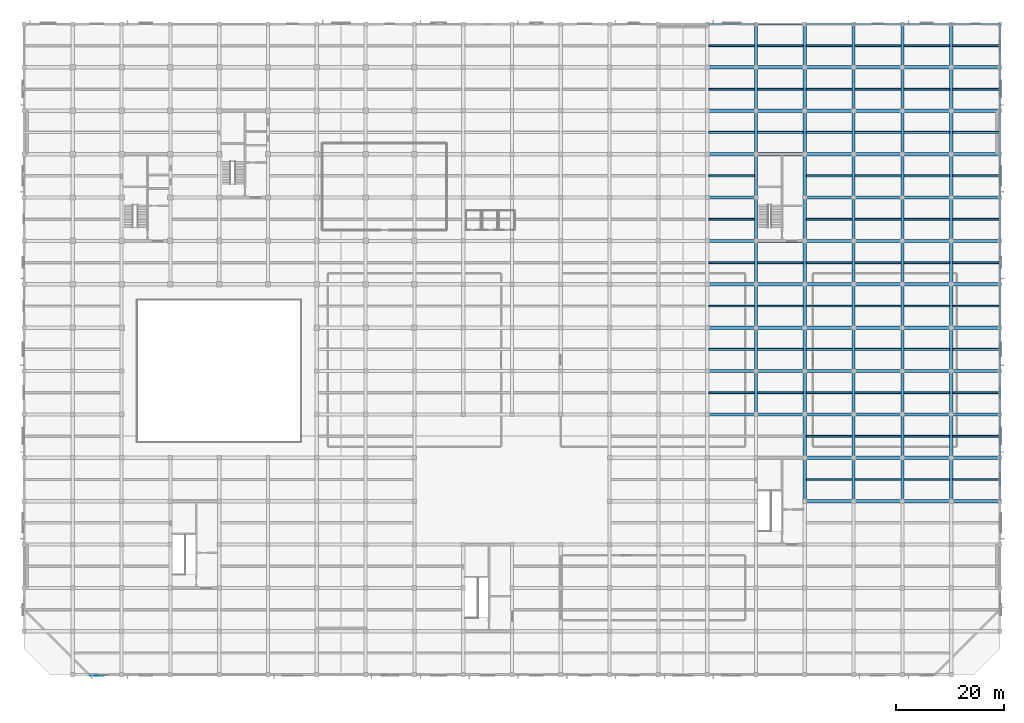
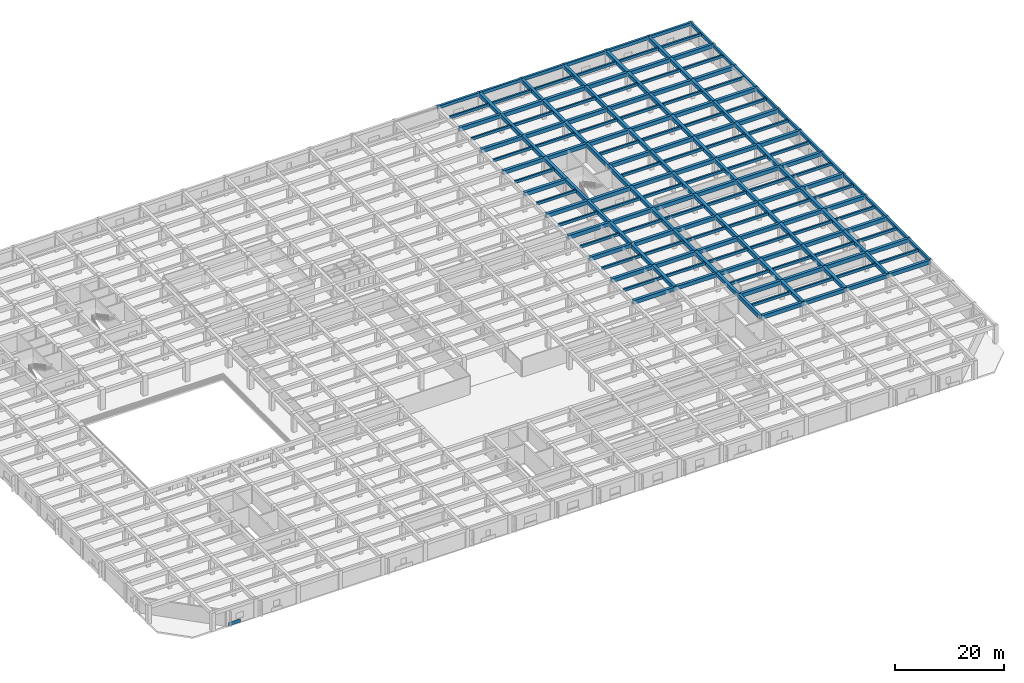
# One storey, part 5 of 32: 191 beams, 1 plate.
"""IFC4 building model written with IfcOpenShell, lengths in metres."""

from ifc_helpers import new_model, si_unit, direction, frame, frame_2d, origin, origin_2d, place, context, subcontext, project, spatial, rectangle, extrude, material, layer, layer_set, material_profile, profile_set, type_object, element, save


model = new_model("IFC4")

# Units and contexts
model_context = context("Model", 3, precision=1e-05, world=origin(), true_north=direction((0.0, 1.0)))
body_context = subcontext(model_context, "Body", "Model", "MODEL_VIEW")
ifc_project = project(units=[si_unit("LENGTHUNIT", "METRE"), si_unit("AREAUNIT", "SQUARE_METRE"), si_unit("VOLUMEUNIT", "CUBIC_METRE"), si_unit("PLANEANGLEUNIT", "RADIAN"), si_unit("MASSUNIT", "GRAM", prefix="KILO")], contexts=[model_context])

# Site, building, storey
site_placement = place(None, origin())
site = spatial("IfcSite", under=ifc_project, at=site_placement, CompositionType="ELEMENT")
building_placement = place(site_placement, origin())
building = spatial("IfcBuilding", under=site, at=building_placement, Name="Zaverband Oceanarium and Marine Research Institute", CompositionType="ELEMENT")
storey_placement = place(building_placement, frame((0.0, 0.0, 13.5)))
storey = spatial("IfcBuildingStorey", under=building, at=storey_placement, Name="L03", CompositionType="ELEMENT", Elevation=13.5)

# Beams
ifc_material_1 = material(Name="Concrete C40/50", Category="concrete")
ifc_material_profile_1 = material_profile(ifc_material_1, rectangle(XDim=0.60009765625, YDim=0.85009765625, at=origin_2d()), Name="RC600x850")
ifc_profile_set_1 = profile_set([ifc_material_profile_1], Name="Concrete C40/50")
beam_type_1 = type_object("IfcBeamType", Name="BM-600x850", PredefinedType="BEAM", material=ifc_profile_set_1)
for number, where, z_axis, x_axis, name in (
    (1, (144.0, 32.0, 3.77490234375), (1.0, 0.0, 0.0), (0.0, 1.0, 0.0), "Primary floor girder BM-600x850"),
    (2, (153.0, 32.0, 3.77490234375), (1.0, 0.0, 0.0), (0.0, 1.0, 0.0), "Primary floor girder BM-600x850"),
    (3, (162.0, 32.0, 3.77490234375), (1.0, 0.0, 0.0), (0.0, 1.0, 0.0), "Primary floor girder BM-600x850"),
    (4, (171.0, 32.0, 3.77490234375), (1.0, 0.0, 0.0), (0.0, 1.0, 0.0), "Primary floor girder BM-600x850"),
    (5, (144.0, 40.0, 3.77490234375), (1.0, 0.0, 0.0), (0.0, 1.0, 0.0), "Primary floor girder BM-600x850"),
    (6, (153.0, 40.0, 3.77490234375), (1.0, 0.0, 0.0), (0.0, 1.0, 0.0), "Primary floor girder BM-600x850"),
    (7, (162.0, 40.0, 3.77490234375), (1.0, 0.0, 0.0), (0.0, 1.0, 0.0), "Primary floor girder BM-600x850"),
    (8, (171.0, 40.0, 3.77490234375), (1.0, 0.0, 0.0), (0.0, 1.0, 0.0), "Primary floor girder BM-600x850"),
    (9, (126.0, 48.0, 3.77490234375), (1.0, 0.0, 0.0), (0.0, 1.0, 0.0), "Primary floor girder BM-600x850"),
    (10, (135.0, 48.0, 3.77490234375), (1.0, 0.0, 0.0), (0.0, 1.0, 0.0), "Primary floor girder BM-600x850"),
    (11, (144.0, 48.0, 3.77490234375), (1.0, 0.0, 0.0), (0.0, 1.0, 0.0), "Primary floor girder BM-600x850"),
    (12, (153.0, 48.0, 3.77490234375), (1.0, 0.0, 0.0), (0.0, 1.0, 0.0), "Primary floor girder BM-600x850"),
    (13, (162.0, 48.0, 3.77490234375), (1.0, 0.0, 0.0), (0.0, 1.0, 0.0), "Primary floor girder BM-600x850"),
    (14, (171.0, 48.0, 3.77490234375), (1.0, 0.0, 0.0), (0.0, 1.0, 0.0), "Primary floor girder BM-600x850"),
    (15, (126.0, 56.0, 3.77490234375), (1.0, 0.0, 0.0), (0.0, 1.0, 0.0), "Primary floor girder BM-600x850"),
    (16, (135.0, 56.0, 3.77490234375), (1.0, 0.0, 0.0), (0.0, 1.0, 0.0), "Primary floor girder BM-600x850"),
    (17, (144.0, 56.0, 3.77490234375), (1.0, 0.0, 0.0), (0.0, 1.0, 0.0), "Primary floor girder BM-600x850"),
    (18, (153.0, 56.0, 3.77490234375), (1.0, 0.0, 0.0), (0.0, 1.0, 0.0), "Primary floor girder BM-600x850"),
    (19, (162.0, 56.0, 3.77490234375), (1.0, 0.0, 0.0), (0.0, 1.0, 0.0), "Primary floor girder BM-600x850"),
    (20, (171.0, 56.0, 3.77490234375), (1.0, 0.0, 0.0), (0.0, 1.0, 0.0), "Primary floor girder BM-600x850"),
    (21, (126.0, 64.0, 3.804931640625), (1.0, 0.0, 0.0), (0.0, 1.0, 0.0), "Primary floor girder BM-600x850"),
    (22, (135.0, 64.0, 3.77490234375), (1.0, 0.0, 0.0), (0.0, 1.0, 0.0), "Primary floor girder BM-600x850"),
    (23, (144.0, 64.0, 3.77490234375), (1.0, 0.0, 0.0), (0.0, 1.0, 0.0), "Primary floor girder BM-600x850"),
    (24, (153.0, 64.0, 3.77490234375), (1.0, 0.0, 0.0), (0.0, 1.0, 0.0), "Primary floor girder BM-600x850"),
    (25, (162.0, 64.0, 3.77490234375), (1.0, 0.0, 0.0), (0.0, 1.0, 0.0), "Primary floor girder BM-600x850"),
    (26, (171.0, 64.0, 3.77490234375), (1.0, 0.0, 0.0), (0.0, 1.0, 0.0), "Primary floor girder BM-600x850"),
    (27, (126.0, 72.0, 3.804931640625), (1.0, 0.0, 0.0), (0.0, 1.0, 0.0), "Primary floor girder BM-600x850"),
    (28, (135.0, 72.0, 3.77490234375), (1.0, 0.0, 0.0), (0.0, 1.0, 0.0), "Primary floor girder BM-600x850"),
    (29, (144.0, 72.0, 3.77490234375), (1.0, 0.0, 0.0), (0.0, 1.0, 0.0), "Primary floor girder BM-600x850"),
    (30, (153.0, 72.0, 3.77490234375), (1.0, 0.0, 0.0), (0.0, 1.0, 0.0), "Primary floor girder BM-600x850"),
    (31, (162.0, 72.0, 3.77490234375), (1.0, 0.0, 0.0), (0.0, 1.0, 0.0), "Primary floor girder BM-600x850"),
    (32, (171.0, 72.0, 3.77490234375), (1.0, 0.0, 0.0), (0.0, 1.0, 0.0), "Primary floor girder BM-600x850"),
    (33, (126.0, 80.0, 3.804931640625), (1.0, 0.0, 0.0), (0.0, 1.0, 0.0), "Primary floor girder BM-600x850"),
    (34, (135.0, 80.0, 3.77490234375), (1.0, 0.0, 0.0), (0.0, 1.0, 0.0), "Primary floor girder BM-600x850"),
    (35, (144.0, 80.0, 3.77490234375), (1.0, 0.0, 0.0), (0.0, 1.0, 0.0), "Primary floor girder BM-600x850"),
    (36, (153.0, 80.0, 3.77490234375), (1.0, 0.0, 0.0), (0.0, 1.0, 0.0), "Primary floor girder BM-600x850"),
    (37, (162.0, 80.0, 3.77490234375), (1.0, 0.0, 0.0), (0.0, 1.0, 0.0), "Primary floor girder BM-600x850"),
    (38, (171.0, 80.0, 3.77490234375), (1.0, 0.0, 0.0), (0.0, 1.0, 0.0), "Primary floor girder BM-600x850"),
    (39, (126.0, 88.0, 3.804931640625), (1.0, 0.0, 0.0), (0.0, 1.0, 0.0), "Primary floor girder BM-600x850"),
    (40, (144.0, 88.0, 3.77490234375), (1.0, 0.0, 0.0), (0.0, 1.0, 0.0), "Primary floor girder BM-600x850"),
    (41, (153.0, 88.0, 3.77490234375), (1.0, 0.0, 0.0), (0.0, 1.0, 0.0), "Primary floor girder BM-600x850"),
    (42, (162.0, 88.0, 3.77490234375), (1.0, 0.0, 0.0), (0.0, 1.0, 0.0), "Primary floor girder BM-600x850"),
    (43, (171.0, 88.0, 3.77490234375), (1.0, 0.0, 0.0), (0.0, 1.0, 0.0), "Primary floor girder BM-600x850"),
    (44, (126.0, 96.0, 3.804931640625), (1.0, 0.0, 0.0), (0.0, 1.0, 0.0), "Primary floor girder BM-600x850"),
    (45, (135.0, 96.0, 3.77490234375), (1.0, 0.0, 0.0), (0.0, 1.0, 0.0), "Primary floor girder BM-600x850"),
    (46, (144.0, 96.0, 3.77490234375), (1.0, 0.0, 0.0), (0.0, 1.0, 0.0), "Primary floor girder BM-600x850"),
    (47, (153.0, 96.0, 3.77490234375), (1.0, 0.0, 0.0), (0.0, 1.0, 0.0), "Primary floor girder BM-600x850"),
    (48, (162.0, 96.0, 3.77490234375), (1.0, 0.0, 0.0), (0.0, 1.0, 0.0), "Primary floor girder BM-600x850"),
    (49, (171.0, 96.0, 3.77490234375), (1.0, 0.0, 0.0), (0.0, 1.0, 0.0), "Primary floor girder BM-600x850"),
    (50, (126.0, 104.0, 3.804931640625), (1.0, 0.0, 0.0), (0.0, 1.0, 0.0), "Primary floor girder BM-600x850"),
    (51, (135.0, 104.0, 3.77490234375), (1.0, 0.0, 0.0), (0.0, 1.0, 0.0), "Primary floor girder BM-600x850"),
    (52, (144.0, 104.0, 3.77490234375), (1.0, 0.0, 0.0), (0.0, 1.0, 0.0), "Primary floor girder BM-600x850"),
    (53, (153.0, 104.0, 3.77490234375), (1.0, 0.0, 0.0), (0.0, 1.0, 0.0), "Primary floor girder BM-600x850"),
    (54, (162.0, 104.0, 3.77490234375), (1.0, 0.0, 0.0), (0.0, 1.0, 0.0), "Primary floor girder BM-600x850"),
    (55, (171.0, 104.0, 3.77490234375), (1.0, 0.0, 0.0), (0.0, 1.0, 0.0), "Primary floor girder BM-600x850"),
    (56, (126.0, 112.0, 3.804931640625), (1.0, 0.0, 0.0), (0.0, 1.0, 0.0), "Primary floor girder BM-600x850"),
    (57, (135.0, 112.0, 3.77490234375), (1.0, 0.0, 0.0), (0.0, 1.0, 0.0), "Primary floor girder BM-600x850"),
    (58, (144.0, 112.0, 3.77490234375), (1.0, 0.0, 0.0), (0.0, 1.0, 0.0), "Primary floor girder BM-600x850"),
    (59, (153.0, 112.0, 3.77490234375), (1.0, 0.0, 0.0), (0.0, 1.0, 0.0), "Primary floor girder BM-600x850"),
    (60, (162.0, 112.0, 3.77490234375), (1.0, 0.0, 0.0), (0.0, 1.0, 0.0), "Primary floor girder BM-600x850"),
    (61, (171.0, 112.0, 3.77490234375), (1.0, 0.0, 0.0), (0.0, 1.0, 0.0), "Primary floor girder BM-600x850"),
):
    element("IfcBeam", number, at=place(storey_placement, frame(where, z_axis=z_axis, x_axis=x_axis)), inside=storey, type_object=beam_type_1, Name=name, PredefinedType="BEAM", context=body_context, shape_type="SweptSolid", body=[
        extrude(rectangle(XDim=0.60009765625, YDim=0.85009765625, at=origin_2d()), origin(), (0.0, 0.0, 1.0), 9.0),
    ])
for number, where, z_axis, x_axis, name in (
    (62, (135.0, 48.0, 3.77490234375), (0.0, 1.0, 0.0), (-1.0, 0.0, 0.0), "Primary floor girder BM-600x850"),
    (63, (135.0, 56.0, 3.77490234375), (0.0, 1.0, 0.0), (-1.0, 0.0, 0.0), "Primary floor girder BM-600x850"),
    (64, (135.0, 64.0, 3.804931640625), (0.0, 1.0, 0.0), (-1.0, 0.0, 0.0), "Primary floor girder BM-600x850"),
    (65, (135.0, 72.0, 3.804931640625), (0.0, 1.0, 0.0), (-1.0, 0.0, 0.0), "Primary floor girder BM-600x850"),
    (66, (135.0, 80.0, 3.804931640625), (0.0, 1.0, 0.0), (-1.0, 0.0, 0.0), "Primary floor girder BM-600x850"),
    (67, (135.0, 88.0, 3.804931640625), (0.0, 1.0, 0.0), (-1.0, 0.0, 0.0), "Primary floor girder BM-600x850"),
    (68, (135.0, 96.0, 3.804931640625), (0.0, 1.0, 0.0), (-1.0, 0.0, 0.0), "Primary floor girder BM-600x850"),
    (69, (135.0, 104.0, 3.804931640625), (0.0, 1.0, 0.0), (-1.0, 0.0, 0.0), "Primary floor girder BM-600x850"),
    (70, (135.0, 112.0, 3.77490234375), (0.0, 1.0, 0.0), (-1.0, 0.0, 0.0), "Primary floor girder BM-600x850"),
    (71, (144.0, 32.0, 3.77490234375), (0.0, 1.0, 0.0), (-1.0, 0.0, 0.0), "Primary floor girder BM-600x850"),
    (72, (144.0, 40.0, 3.77490234375), (0.0, 1.0, 0.0), (-1.0, 0.0, 0.0), "Primary floor girder BM-600x850"),
    (73, (144.0, 48.0, 3.77490234375), (0.0, 1.0, 0.0), (-1.0, 0.0, 0.0), "Primary floor girder BM-600x850"),
    (74, (144.0, 56.0, 3.77490234375), (0.0, 1.0, 0.0), (-1.0, 0.0, 0.0), "Primary floor girder BM-600x850"),
    (75, (144.0, 64.0, 3.77490234375), (0.0, 1.0, 0.0), (-1.0, 0.0, 0.0), "Primary floor girder BM-600x850"),
    (76, (144.0, 72.0, 3.77490234375), (0.0, 1.0, 0.0), (-1.0, 0.0, 0.0), "Primary floor girder BM-600x850"),
    (77, (144.0, 80.0, 3.77490234375), (0.0, 1.0, 0.0), (-1.0, 0.0, 0.0), "Primary floor girder BM-600x850"),
    (78, (144.0, 88.0, 3.77490234375), (0.0, 1.0, 0.0), (-1.0, 0.0, 0.0), "Primary floor girder BM-600x850"),
    (79, (144.0, 96.0, 3.77490234375), (0.0, 1.0, 0.0), (-1.0, 0.0, 0.0), "Primary floor girder BM-600x850"),
    (80, (144.0, 104.0, 3.77490234375), (0.0, 1.0, 0.0), (-1.0, 0.0, 0.0), "Primary floor girder BM-600x850"),
    (81, (144.0, 112.0, 3.77490234375), (0.0, 1.0, 0.0), (-1.0, 0.0, 0.0), "Primary floor girder BM-600x850"),
    (82, (153.0, 32.0, 3.77490234375), (0.0, 1.0, 0.0), (-1.0, 0.0, 0.0), "Primary floor girder BM-600x850"),
    (83, (153.0, 40.0, 3.77490234375), (0.0, 1.0, 0.0), (-1.0, 0.0, 0.0), "Primary floor girder BM-600x850"),
    (84, (153.0, 48.0, 3.77490234375), (0.0, 1.0, 0.0), (-1.0, 0.0, 0.0), "Primary floor girder BM-600x850"),
    (85, (153.0, 56.0, 3.77490234375), (0.0, 1.0, 0.0), (-1.0, 0.0, 0.0), "Primary floor girder BM-600x850"),
    (86, (153.0, 64.0, 3.77490234375), (0.0, 1.0, 0.0), (-1.0, 0.0, 0.0), "Primary floor girder BM-600x850"),
    (87, (153.0, 72.0, 3.77490234375), (0.0, 1.0, 0.0), (-1.0, 0.0, 0.0), "Primary floor girder BM-600x850"),
    (88, (153.0, 80.0, 3.77490234375), (0.0, 1.0, 0.0), (-1.0, 0.0, 0.0), "Primary floor girder BM-600x850"),
    (89, (153.0, 88.0, 3.77490234375), (0.0, 1.0, 0.0), (-1.0, 0.0, 0.0), "Primary floor girder BM-600x850"),
    (90, (153.0, 96.0, 3.77490234375), (0.0, 1.0, 0.0), (-1.0, 0.0, 0.0), "Primary floor girder BM-600x850"),
    (91, (153.0, 104.0, 3.77490234375), (0.0, 1.0, 0.0), (-1.0, 0.0, 0.0), "Primary floor girder BM-600x850"),
    (92, (153.0, 112.0, 3.77490234375), (0.0, 1.0, 0.0), (-1.0, 0.0, 0.0), "Primary floor girder BM-600x850"),
    (93, (162.0, 32.0, 3.77490234375), (0.0, 1.0, 0.0), (-1.0, 0.0, 0.0), "Primary floor girder BM-600x850"),
    (94, (162.0, 40.0, 3.77490234375), (0.0, 1.0, 0.0), (-1.0, 0.0, 0.0), "Primary floor girder BM-600x850"),
    (95, (162.0, 48.0, 3.77490234375), (0.0, 1.0, 0.0), (-1.0, 0.0, 0.0), "Primary floor girder BM-600x850"),
    (96, (162.0, 56.0, 3.77490234375), (0.0, 1.0, 0.0), (-1.0, 0.0, 0.0), "Primary floor girder BM-600x850"),
    (97, (162.0, 64.0, 3.77490234375), (0.0, 1.0, 0.0), (-1.0, 0.0, 0.0), "Primary floor girder BM-600x850"),
    (98, (162.0, 72.0, 3.77490234375), (0.0, 1.0, 0.0), (-1.0, 0.0, 0.0), "Primary floor girder BM-600x850"),
    (99, (162.0, 80.0, 3.77490234375), (0.0, 1.0, 0.0), (-1.0, 0.0, 0.0), "Primary floor girder BM-600x850"),
    (100, (162.0, 88.0, 3.77490234375), (0.0, 1.0, 0.0), (-1.0, 0.0, 0.0), "Primary floor girder BM-600x850"),
    (101, (162.0, 96.0, 3.77490234375), (0.0, 1.0, 0.0), (-1.0, 0.0, 0.0), "Primary floor girder BM-600x850"),
    (102, (162.0, 104.0, 3.77490234375), (0.0, 1.0, 0.0), (-1.0, 0.0, 0.0), "Primary floor girder BM-600x850"),
    (103, (162.0, 112.0, 3.77490234375), (0.0, 1.0, 0.0), (-1.0, 0.0, 0.0), "Primary floor girder BM-600x850"),
    (104, (171.0, 32.0, 3.77490234375), (0.0, 1.0, 0.0), (-1.0, 0.0, 0.0), "Primary floor girder BM-600x850"),
    (105, (171.0, 40.0, 3.77490234375), (0.0, 1.0, 0.0), (-1.0, 0.0, 0.0), "Primary floor girder BM-600x850"),
    (106, (171.0, 48.0, 3.77490234375), (0.0, 1.0, 0.0), (-1.0, 0.0, 0.0), "Primary floor girder BM-600x850"),
    (107, (171.0, 56.0, 3.77490234375), (0.0, 1.0, 0.0), (-1.0, 0.0, 0.0), "Primary floor girder BM-600x850"),
    (108, (171.0, 64.0, 3.77490234375), (0.0, 1.0, 0.0), (-1.0, 0.0, 0.0), "Primary floor girder BM-600x850"),
    (109, (171.0, 72.0, 3.77490234375), (0.0, 1.0, 0.0), (-1.0, 0.0, 0.0), "Primary floor girder BM-600x850"),
    (110, (171.0, 80.0, 3.77490234375), (0.0, 1.0, 0.0), (-1.0, 0.0, 0.0), "Primary floor girder BM-600x850"),
    (111, (171.0, 88.0, 3.77490234375), (0.0, 1.0, 0.0), (-1.0, 0.0, 0.0), "Primary floor girder BM-600x850"),
    (112, (171.0, 96.0, 3.77490234375), (0.0, 1.0, 0.0), (-1.0, 0.0, 0.0), "Primary floor girder BM-600x850"),
    (113, (171.0, 104.0, 3.77490234375), (0.0, 1.0, 0.0), (-1.0, 0.0, 0.0), "Primary floor girder BM-600x850"),
    (114, (171.0, 112.0, 3.77490234375), (0.0, 1.0, 0.0), (-1.0, 0.0, 0.0), "Primary floor girder BM-600x850"),
):
    element("IfcBeam", number, at=place(storey_placement, frame(where, z_axis=z_axis, x_axis=x_axis)), inside=storey, type_object=beam_type_1, Name=name, PredefinedType="BEAM", context=body_context, shape_type="SweptSolid", body=[
        extrude(rectangle(XDim=0.60009765625, YDim=0.85009765625, at=origin_2d()), origin(), (0.0, 0.0, 1.0), 8.0),
    ])
ifc_material_profile_2 = material_profile(ifc_material_1, rectangle(XDim=0.35009765625, YDim=0.60009765625, at=origin_2d()), Name="RC350x600")
ifc_profile_set_2 = profile_set([ifc_material_profile_2], Name="Concrete C40/50")
beam_type_2 = type_object("IfcBeamType", Name="JST-350x600", PredefinedType="JOIST", material=ifc_profile_set_2)
for number, where, z_axis, x_axis, name in (
    (115, (126.300048828125, 52.0, 3.89990234375), (1.0, 0.0, 0.0), (0.0, 1.0, 0.0), "Secondary floor joist JST-350x600"),
    (116, (126.300048828125, 60.0, 3.89990234375), (1.0, 0.0, 0.0), (0.0, 1.0, 0.0), "Secondary floor joist JST-350x600"),
    (117, (126.300048828125, 68.0, 3.929931640625), (1.0, 0.0, 0.0), (0.0, 1.0, 0.0), "Secondary floor joist JST-350x600"),
    (118, (126.300048828125, 76.0, 3.929931640625), (1.0, 0.0, 0.0), (0.0, 1.0, 0.0), "Secondary floor joist JST-350x600"),
    (119, (126.300048828125, 84.0, 3.929931640625), (1.0, 0.0, 0.0), (0.0, 1.0, 0.0), "Secondary floor joist JST-350x600"),
    (120, (126.300048828125, 92.0, 3.929931640625), (1.0, 0.0, 0.0), (0.0, 1.0, 0.0), "Secondary floor joist JST-350x600"),
    (121, (126.300048828125, 100.0, 3.929931640625), (1.0, 0.0, 0.0), (0.0, 1.0, 0.0), "Secondary floor joist JST-350x600"),
    (122, (126.300048828125, 108.0, 3.929931640625), (1.0, 0.0, 0.0), (0.0, 1.0, 0.0), "Secondary floor joist JST-350x600"),
    (123, (126.300048828125, 116.0, 3.89990234375), (1.0, 0.0, 0.0), (0.0, 1.0, 0.0), "Secondary floor joist JST-350x600"),
    (124, (135.300048828125, 52.0, 3.89990234375), (1.0, 0.0, 0.0), (0.0, 1.0, 0.0), "Secondary floor joist JST-350x600"),
    (125, (135.300048828125, 60.0, 3.89990234375), (1.0, 0.0, 0.0), (0.0, 1.0, 0.0), "Secondary floor joist JST-350x600"),
    (126, (135.300048828125, 68.0, 3.89990234375), (1.0, 0.0, 0.0), (0.0, 1.0, 0.0), "Secondary floor joist JST-350x600"),
    (127, (135.300048828125, 76.0, 3.89990234375), (1.0, 0.0, 0.0), (0.0, 1.0, 0.0), "Secondary floor joist JST-350x600"),
    (128, (135.300048828125, 100.0, 3.89990234375), (1.0, 0.0, 0.0), (0.0, 1.0, 0.0), "Secondary floor joist JST-350x600"),
    (129, (135.300048828125, 108.0, 3.89990234375), (1.0, 0.0, 0.0), (0.0, 1.0, 0.0), "Secondary floor joist JST-350x600"),
    (130, (135.300048828125, 116.0, 3.89990234375), (1.0, 0.0, 0.0), (0.0, 1.0, 0.0), "Secondary floor joist JST-350x600"),
    (131, (144.300048828125, 36.0, 3.89990234375), (1.0, 0.0, 0.0), (0.0, 1.0, 0.0), "Secondary floor joist JST-350x600"),
    (132, (144.300048828125, 44.0, 3.89990234375), (1.0, 0.0, 0.0), (0.0, 1.0, 0.0), "Secondary floor joist JST-350x600"),
    (133, (144.300048828125, 52.0, 3.89990234375), (1.0, 0.0, 0.0), (0.0, 1.0, 0.0), "Secondary floor joist JST-350x600"),
    (134, (144.300048828125, 60.0, 3.89990234375), (1.0, 0.0, 0.0), (0.0, 1.0, 0.0), "Secondary floor joist JST-350x600"),
    (135, (144.300048828125, 68.0, 3.89990234375), (1.0, 0.0, 0.0), (0.0, 1.0, 0.0), "Secondary floor joist JST-350x600"),
    (136, (144.300048828125, 76.0, 3.89990234375), (1.0, 0.0, 0.0), (0.0, 1.0, 0.0), "Secondary floor joist JST-350x600"),
    (137, (144.300048828125, 84.0, 3.89990234375), (1.0, 0.0, 0.0), (0.0, 1.0, 0.0), "Secondary floor joist JST-350x600"),
    (138, (144.300048828125, 92.0, 3.89990234375), (1.0, 0.0, 0.0), (0.0, 1.0, 0.0), "Secondary floor joist JST-350x600"),
    (139, (144.300048828125, 100.0, 3.89990234375), (1.0, 0.0, 0.0), (0.0, 1.0, 0.0), "Secondary floor joist JST-350x600"),
    (140, (144.300048828125, 108.0, 3.89990234375), (1.0, 0.0, 0.0), (0.0, 1.0, 0.0), "Secondary floor joist JST-350x600"),
    (141, (144.300048828125, 116.0, 3.89990234375), (1.0, 0.0, 0.0), (0.0, 1.0, 0.0), "Secondary floor joist JST-350x600"),
    (142, (153.300048828125, 36.0, 3.89990234375), (1.0, 0.0, 0.0), (0.0, 1.0, 0.0), "Secondary floor joist JST-350x600"),
    (143, (153.300048828125, 44.0, 3.89990234375), (1.0, 0.0, 0.0), (0.0, 1.0, 0.0), "Secondary floor joist JST-350x600"),
    (144, (153.300048828125, 52.0, 3.89990234375), (1.0, 0.0, 0.0), (0.0, 1.0, 0.0), "Secondary floor joist JST-350x600"),
    (145, (153.300048828125, 60.0, 3.89990234375), (1.0, 0.0, 0.0), (0.0, 1.0, 0.0), "Secondary floor joist JST-350x600"),
    (146, (153.300048828125, 68.0, 3.89990234375), (1.0, 0.0, 0.0), (0.0, 1.0, 0.0), "Secondary floor joist JST-350x600"),
    (147, (153.300048828125, 76.0, 3.89990234375), (1.0, 0.0, 0.0), (0.0, 1.0, 0.0), "Secondary floor joist JST-350x600"),
    (148, (153.300048828125, 84.0, 3.89990234375), (1.0, 0.0, 0.0), (0.0, 1.0, 0.0), "Secondary floor joist JST-350x600"),
    (149, (153.300048828125, 92.0, 3.89990234375), (1.0, 0.0, 0.0), (0.0, 1.0, 0.0), "Secondary floor joist JST-350x600"),
    (150, (153.300048828125, 100.0, 3.89990234375), (1.0, 0.0, 0.0), (0.0, 1.0, 0.0), "Secondary floor joist JST-350x600"),
    (151, (153.300048828125, 108.0, 3.89990234375), (1.0, 0.0, 0.0), (0.0, 1.0, 0.0), "Secondary floor joist JST-350x600"),
    (152, (153.300048828125, 116.0, 3.89990234375), (1.0, 0.0, 0.0), (0.0, 1.0, 0.0), "Secondary floor joist JST-350x600"),
    (153, (162.300048828125, 36.0, 3.89990234375), (1.0, 0.0, 0.0), (0.0, 1.0, 0.0), "Secondary floor joist JST-350x600"),
    (154, (162.300048828125, 44.0, 3.89990234375), (1.0, 0.0, 0.0), (0.0, 1.0, 0.0), "Secondary floor joist JST-350x600"),
    (155, (162.300048828125, 52.0, 3.89990234375), (1.0, 0.0, 0.0), (0.0, 1.0, 0.0), "Secondary floor joist JST-350x600"),
    (156, (162.300048828125, 60.0, 3.89990234375), (1.0, 0.0, 0.0), (0.0, 1.0, 0.0), "Secondary floor joist JST-350x600"),
    (157, (162.300048828125, 68.0, 3.89990234375), (1.0, 0.0, 0.0), (0.0, 1.0, 0.0), "Secondary floor joist JST-350x600"),
    (158, (162.300048828125, 76.0, 3.89990234375), (1.0, 0.0, 0.0), (0.0, 1.0, 0.0), "Secondary floor joist JST-350x600"),
    (159, (162.300048828125, 84.0, 3.89990234375), (1.0, 0.0, 0.0), (0.0, 1.0, 0.0), "Secondary floor joist JST-350x600"),
    (160, (162.300048828125, 92.0, 3.89990234375), (1.0, 0.0, 0.0), (0.0, 1.0, 0.0), "Secondary floor joist JST-350x600"),
    (161, (162.300048828125, 100.0, 3.89990234375), (1.0, 0.0, 0.0), (0.0, 1.0, 0.0), "Secondary floor joist JST-350x600"),
    (162, (162.300048828125, 108.0, 3.89990234375), (1.0, 0.0, 0.0), (0.0, 1.0, 0.0), "Secondary floor joist JST-350x600"),
    (163, (162.300048828125, 116.0, 3.89990234375), (1.0, 0.0, 0.0), (0.0, 1.0, 0.0), "Secondary floor joist JST-350x600"),
):
    element("IfcBeam", number, at=place(storey_placement, frame(where, z_axis=z_axis, x_axis=x_axis)), inside=storey, type_object=beam_type_2, Name=name, PredefinedType="JOIST", context=body_context, shape_type="SweptSolid", body=[
        extrude(rectangle(XDim=0.35009765625, YDim=0.60009765625, at=origin_2d()), origin(), (0.0, 0.0, 1.0), 8.39990234375),
    ])
for number, where, z_axis, x_axis, name in (
    (164, (171.300048828125, 36.0, 3.89990234375), (1.0, 0.0, 0.0), (0.0, 1.0, 0.0), "Secondary floor joist JST-350x600"),
    (165, (171.300048828125, 44.0, 3.89990234375), (1.0, 0.0, 0.0), (0.0, 1.0, 0.0), "Secondary floor joist JST-350x600"),
    (166, (171.300048828125, 52.0, 3.89990234375), (1.0, 0.0, 0.0), (0.0, 1.0, 0.0), "Secondary floor joist JST-350x600"),
    (167, (171.300048828125, 60.0, 3.89990234375), (1.0, 0.0, 0.0), (0.0, 1.0, 0.0), "Secondary floor joist JST-350x600"),
    (168, (171.300048828125, 68.0, 3.89990234375), (1.0, 0.0, 0.0), (0.0, 1.0, 0.0), "Secondary floor joist JST-350x600"),
    (169, (171.300048828125, 76.0, 3.89990234375), (1.0, 0.0, 0.0), (0.0, 1.0, 0.0), "Secondary floor joist JST-350x600"),
    (170, (171.300048828125, 84.0, 3.89990234375), (1.0, 0.0, 0.0), (0.0, 1.0, 0.0), "Secondary floor joist JST-350x600"),
    (171, (171.300048828125, 92.0, 3.89990234375), (1.0, 0.0, 0.0), (0.0, 1.0, 0.0), "Secondary floor joist JST-350x600"),
    (172, (171.300048828125, 100.0, 3.89990234375), (1.0, 0.0, 0.0), (0.0, 1.0, 0.0), "Secondary floor joist JST-350x600"),
    (173, (171.300048828125, 108.0, 3.89990234375), (1.0, 0.0, 0.0), (0.0, 1.0, 0.0), "Secondary floor joist JST-350x600"),
    (174, (171.300048828125, 116.0, 3.89990234375), (1.0, 0.0, 0.0), (0.0, 1.0, 0.0), "Secondary floor joist JST-350x600"),
):
    element("IfcBeam", number, at=place(storey_placement, frame(where, z_axis=z_axis, x_axis=x_axis)), inside=storey, type_object=beam_type_2, Name=name, PredefinedType="JOIST", context=body_context, shape_type="SweptSolid", body=[
        extrude(rectangle(XDim=0.35009765625, YDim=0.60009765625, at=origin_2d()), origin(), (0.0, 0.0, 1.0), 8.474853515625),
    ])
ifc_material_profile_3 = material_profile(ifc_material_1, rectangle(XDim=0.449951171875, YDim=0.699951171875, at=origin_2d()), Name="RC450x700")
ifc_profile_set_3 = profile_set([ifc_material_profile_3], Name="Concrete C40/50")
beam_type_3 = type_object("IfcBeamType", Name="SPN-450x700", PredefinedType="SPANDREL", material=ifc_profile_set_3)
for number, where, z_axis, x_axis, name in (
    (175, (126.0, 120.0, 3.85009765625), (1.0, 0.0, 0.0), (0.0, 1.0, 0.0), "Perimeter spandrel beam SPN-450x700"),
    (176, (135.0, 120.0, 3.85009765625), (1.0, 0.0, 0.0), (0.0, 1.0, 0.0), "Perimeter spandrel beam SPN-450x700"),
    (177, (144.0, 120.0, 3.85009765625), (1.0, 0.0, 0.0), (0.0, 1.0, 0.0), "Perimeter spandrel beam SPN-450x700"),
    (178, (153.0, 120.0, 3.85009765625), (1.0, 0.0, 0.0), (0.0, 1.0, 0.0), "Perimeter spandrel beam SPN-450x700"),
    (179, (162.0, 120.0, 3.85009765625), (1.0, 0.0, 0.0), (0.0, 1.0, 0.0), "Perimeter spandrel beam SPN-450x700"),
    (180, (171.0, 120.0, 3.85009765625), (1.0, 0.0, 0.0), (0.0, 1.0, 0.0), "Perimeter spandrel beam SPN-450x700"),
):
    element("IfcBeam", number, at=place(storey_placement, frame(where, z_axis=z_axis, x_axis=x_axis)), inside=storey, type_object=beam_type_3, Name=name, PredefinedType="SPANDREL", context=body_context, shape_type="SweptSolid", body=[
        extrude(rectangle(XDim=0.449951171875, YDim=0.699951171875, at=origin_2d()), origin(), (0.0, 0.0, 1.0), 9.0),
    ])
for number, where, z_axis, x_axis, name in (
    (181, (180.0, 32.0, 3.85009765625), (0.0, 1.0, 0.0), (-1.0, 0.0, 0.0), "Perimeter spandrel beam SPN-450x700"),
    (182, (180.0, 40.0, 3.85009765625), (0.0, 1.0, 0.0), (-1.0, 0.0, 0.0), "Perimeter spandrel beam SPN-450x700"),
    (183, (180.0, 48.0, 3.85009765625), (0.0, 1.0, 0.0), (-1.0, 0.0, 0.0), "Perimeter spandrel beam SPN-450x700"),
    (184, (180.0, 56.0, 3.85009765625), (0.0, 1.0, 0.0), (-1.0, 0.0, 0.0), "Perimeter spandrel beam SPN-450x700"),
    (185, (180.0, 64.0, 3.85009765625), (0.0, 1.0, 0.0), (-1.0, 0.0, 0.0), "Perimeter spandrel beam SPN-450x700"),
    (186, (180.0, 72.0, 3.85009765625), (0.0, 1.0, 0.0), (-1.0, 0.0, 0.0), "Perimeter spandrel beam SPN-450x700"),
    (187, (180.0, 80.0, 3.85009765625), (0.0, 1.0, 0.0), (-1.0, 0.0, 0.0), "Perimeter spandrel beam SPN-450x700"),
    (188, (180.0, 88.0, 3.85009765625), (0.0, 1.0, 0.0), (-1.0, 0.0, 0.0), "Perimeter spandrel beam SPN-450x700"),
    (189, (180.0, 96.0, 3.85009765625), (0.0, 1.0, 0.0), (-1.0, 0.0, 0.0), "Perimeter spandrel beam SPN-450x700"),
    (190, (180.0, 104.0, 3.85009765625), (0.0, 1.0, 0.0), (-1.0, 0.0, 0.0), "Perimeter spandrel beam SPN-450x700"),
    (191, (180.0, 112.0, 3.85009765625), (0.0, 1.0, 0.0), (-1.0, 0.0, 0.0), "Perimeter spandrel beam SPN-450x700"),
):
    element("IfcBeam", number, at=place(storey_placement, frame(where, z_axis=z_axis, x_axis=x_axis)), inside=storey, type_object=beam_type_3, Name=name, PredefinedType="SPANDREL", context=body_context, shape_type="SweptSolid", body=[
        extrude(rectangle(XDim=0.449951171875, YDim=0.699951171875, at=origin_2d()), origin(), (0.0, 0.0, 1.0), 8.0),
    ])

# Plate
ifc_material_2 = material(Name="Concrete C40/50 precast ochre", Category="concrete")
ifc_layer = layer(ifc_material_2, 0.074951171875, Name="Concrete C40/50 precast ochre")
ifc_layer_set = layer_set([ifc_layer], Name="Concrete C40/50 precast ochre")
plate_type = type_object("IfcPlateType", Name="FRP-2500x750", PredefinedType="USERDEFINED", material=ifc_layer_set)
plate_placement = place(storey_placement, frame((12.25, -0.1923828125, 0.0), z_axis=(0.0, 0.0, 1.0), x_axis=(1.0, 0.0, 0.0)))
element("IfcPlate", 192, at=plate_placement, inside=storey, type_object=plate_type, Name="Geometric precast facade cladding panel FRP-2500x750", ObjectType="FLANGE_PLATE", PredefinedType="USERDEFINED", context=body_context, shape_type="SweptSolid", body=[
    extrude(rectangle(XDim=2.5, YDim=0.074951171875, at=frame_2d((1.25, 0.0))), origin(), (0.0, 0.0, 1.0), 0.75),
])

save(model, "model.ifc")
